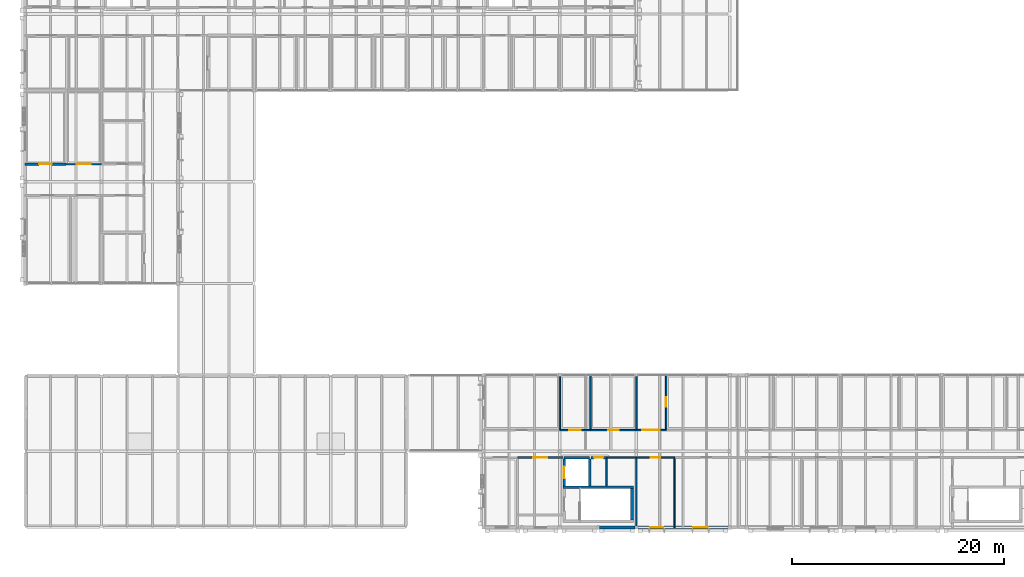
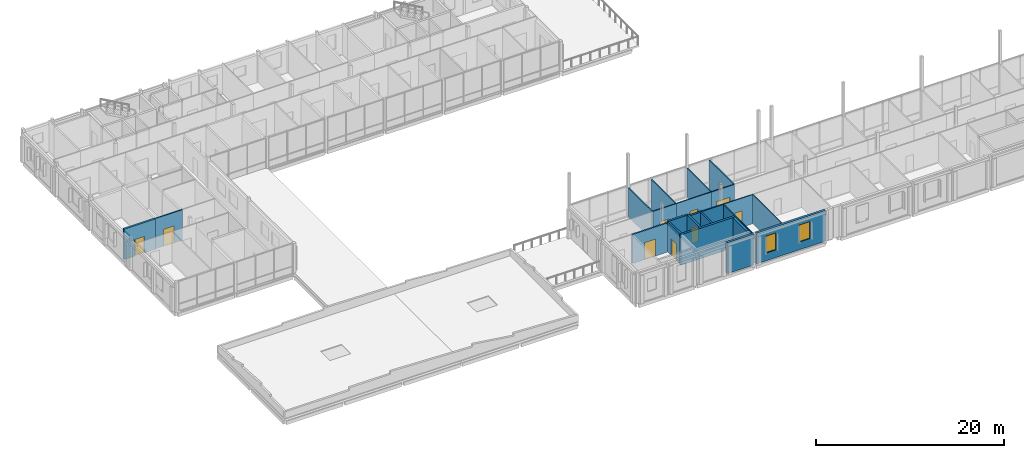
# One storey, part 37 of 57: 23 walls, 10 doors, 2 windows, 12 openings.
"""IFC4 building model written with IfcOpenShell, lengths in metres."""

import ifcopenshell
import ifcopenshell.guid

model = None  # the IFC model being written
_history = None  # IfcOwnerHistory: only IFC2X3 demands one
_inside = {}  # id of a spatial element -> (the spatial element, [elements in it])
_under = {}  # id of a project, library or spatial element -> (it, [spatial elements below it])
_declared = {}  # id of a project -> (the project, [libraries it declares])
_typed = {}  # id of a type object -> (the type object, [elements of that type])
_made_of = {}  # id of a material, layer set ... -> (it, [elements and type objects made of it])


def new_model(schema):
    """Start an empty IFC model of exactly this schema.

    Asked for "IFC4X3", IfcOpenShell would pick the latest addendum, in which some entities
    have other attributes; the version numbers below select the first issue.
    IFC2X3 requires an IfcOwnerHistory on every rooted entity: one is made here for all.
    """
    global model, _history
    if schema == "IFC4X3":
        model = ifcopenshell.file(schema_version=(4, 3, 0, 0))
    else:
        model = ifcopenshell.file(schema=schema)
    _inside.clear()
    _under.clear()
    _declared.clear()
    _typed.clear()
    _made_of.clear()
    _history = None
    if model.schema == "IFC2X3":
        org = make("IfcOrganization", Name="unknown")
        user = make(
            "IfcPersonAndOrganization",
            ThePerson=make("IfcPerson", FamilyName="unknown"),
            TheOrganization=org,
        )
        app = make(
            "IfcApplication",
            ApplicationDeveloper=org,
            Version="unknown",
            ApplicationFullName="unknown",
            ApplicationIdentifier="unknown",
        )
        _history = make(
            "IfcOwnerHistory",
            OwningUser=user,
            OwningApplication=app,
            ChangeAction="ADDED",
            CreationDate=0,
        )
    return model


def make(cls, **values):
    """One entity of the class cls with the attributes given. An attribute that is None is left unset."""
    return model.create_entity(
        cls, **{name: value for name, value in values.items() if value is not None}
    )


def rooted(cls, **values):
    """An entity with a GlobalId (a new one), such as an element, a storey or a relation."""
    return make(cls, GlobalId=ifcopenshell.guid.new(), OwnerHistory=_history, **values)


def si_unit(unit_type, name, prefix=None):
    """IfcSIUnit, for example si_unit("LENGTHUNIT", "METRE", prefix="MILLI")."""
    return make("IfcSIUnit", UnitType=unit_type, Prefix=prefix, Name=name)


def assignment(units):
    """IfcUnitAssignment: the units of a project."""
    return None if units is None else make("IfcUnitAssignment", Units=units)


def point(xyz):
    """IfcCartesianPoint."""
    return None if xyz is None else make("IfcCartesianPoint", Coordinates=xyz)


def direction(xyz):
    """IfcDirection."""
    return None if xyz is None else make("IfcDirection", DirectionRatios=xyz)


def frame(location, z_axis=None, x_axis=None):
    """IfcAxis2Placement3D, a coordinate frame: its origin and axes. An axis left out is left unset."""
    return make(
        "IfcAxis2Placement3D",
        Location=point(location),
        Axis=direction(z_axis),
        RefDirection=direction(x_axis),
    )


def frame_2d(location, x_axis=None):
    """IfcAxis2Placement2D, a coordinate frame in the plane: its origin and x axis."""
    return make(
        "IfcAxis2Placement2D", Location=point(location), RefDirection=direction(x_axis)
    )


def origin():
    """The frame at (0, 0, 0) with its axes left unset."""
    return frame((0.0, 0.0, 0.0))


def place(relative_to, where):
    """IfcLocalPlacement: puts the frame where relative to a parent placement (None: the world)."""
    return make(
        "IfcLocalPlacement", PlacementRelTo=relative_to, RelativePlacement=where
    )


def context(
    kind, dimensions, precision=None, world=None, true_north=None, identifier=None
):
    """IfcGeometricRepresentationContext, for example the 3D "Model" context."""
    return make(
        "IfcGeometricRepresentationContext",
        ContextIdentifier=identifier,
        ContextType=kind,
        CoordinateSpaceDimension=dimensions,
        Precision=precision,
        WorldCoordinateSystem=world,
        TrueNorth=true_north,
    )


def subcontext(parent, identifier, kind, view, scale=None):
    """IfcGeometricRepresentationSubContext, for example "Body" below "Model"."""
    return make(
        "IfcGeometricRepresentationSubContext",
        ContextIdentifier=identifier,
        ContextType=kind,
        ParentContext=parent,
        TargetScale=scale,
        TargetView=view,
    )


def project(units=None, contexts=None):
    """IfcProject with its units and contexts."""
    return rooted(
        "IfcProject",
        Name="project",
        RepresentationContexts=contexts,
        UnitsInContext=assignment(units),
    )


def spatial(cls, under=None, at=None, **own):
    """A site, building, storey or space (cls), placed at a placement, below another one or the project."""
    s = rooted(cls, ObjectPlacement=at, **own)
    if under is not None:
        _under.setdefault(under.id(), (under, []))[1].append(s)
    return s


def profile(cls, at=None, kind="AREA", **sizes):
    """A parametric profile (cls). Its sizes go by their IFC names, for example OverallWidth=200.0."""
    return make(cls, ProfileType=kind, Position=at, **sizes)


def rectangle(**sizes):
    """IfcRectangleProfileDef."""
    return profile("IfcRectangleProfileDef", **sizes)


def extrude(swept, where, along, depth):
    """IfcExtrudedAreaSolid: the profile swept, set in the frame where, extruded along a direction by depth."""
    return make(
        "IfcExtrudedAreaSolid",
        SweptArea=swept,
        Position=where,
        ExtrudedDirection=direction(along),
        Depth=depth,
    )


def shape(context_of_items, identifier, shape_type, items):
    """IfcShapeRepresentation: the items that make up one representation, for example the "Body"."""
    return make(
        "IfcShapeRepresentation",
        ContextOfItems=context_of_items,
        RepresentationIdentifier=identifier,
        RepresentationType=shape_type,
        Items=items,
    )


def material(Name=None, Category=None):
    """IfcMaterial."""
    return make("IfcMaterial", Name=Name, Category=Category)


def layer(
    of_material, thickness, ventilated=None, Name=None, Category=None, Priority=None
):
    """IfcMaterialLayer: one layer of a wall or slab, of a material (None: an air gap)."""
    return make(
        "IfcMaterialLayer",
        Material=of_material,
        LayerThickness=thickness,
        IsVentilated=ventilated,
        Name=Name,
        Category=Category,
        Priority=Priority,
    )


def layer_set(layers, Name=None):
    """IfcMaterialLayerSet."""
    return make("IfcMaterialLayerSet", MaterialLayers=layers, LayerSetName=Name)


def made_of(thing, what):
    """Note that an element or type object is made of a material, layer set ...; save() writes the relation."""
    if what is not None:
        _made_of.setdefault(what.id(), (what, []))[1].append(thing)
    return thing


def type_object(cls, material=None, **own):
    """A type object (cls), such as IfcWallType, which elements share."""
    return made_of(rooted(cls, **own), material)


def element(
    cls,
    number,
    at=None,
    inside=None,
    cuts=None,
    type_object=None,
    material=None,
    context=None,
    identifier="Body",
    shape_type=None,
    held_by="IfcProductDefinitionShape",
    body=None,
    shapes=None,
    **own,
):
    """One element of the class cls, such as IfcWall. Its Tag is "e" and its number.

    at: its placement. inside: the storey or other place that contains it. cuts: it is an
    opening in that element (IfcRelVoidsElement). A single representation is given by context,
    identifier, shape_type and body (its items); several are given by shapes. held_by: the class
    of the entity that holds the representations. save() writes the other relations.
    """
    e = rooted(cls, Tag="e%d" % number, ObjectPlacement=at, **own)
    if body is not None:
        shapes = [shape(context, identifier, shape_type, body)]
    if shapes is not None:
        e.Representation = make(held_by, Representations=shapes)
    if inside is not None:
        _inside.setdefault(inside.id(), (inside, []))[1].append(e)
    if cuts is not None:
        rooted(
            "IfcRelVoidsElement", RelatingBuildingElement=cuts, RelatedOpeningElement=e
        )
    if type_object is not None:
        _typed.setdefault(type_object.id(), (type_object, []))[1].append(e)
    return made_of(e, material)


def fill(opening, filler):
    """IfcRelFillsElement: the door or window that sits in an opening."""
    return rooted(
        "IfcRelFillsElement",
        RelatingOpeningElement=opening,
        RelatedBuildingElement=filler,
    )


def aggregate(whole, parts):
    """IfcRelAggregates: a whole, such as a stair, and the parts it consists of."""
    return rooted("IfcRelAggregates", RelatingObject=whole, RelatedObjects=parts)


def save(model, path):
    """Write the relations noted so far, then the file.

    IfcRelAggregates (storeys below a building ...), IfcRelContainedInSpatialStructure (elements
    in a storey), IfcRelDefinesByType, IfcRelAssociatesMaterial and IfcRelDeclares: one each for
    every whole, place, type object, material and project.
    """
    for whole, parts in _under.values():
        aggregate(whole, parts)
    for where, things in _inside.values():
        rooted(
            "IfcRelContainedInSpatialStructure",
            RelatedElements=things,
            RelatingStructure=where,
        )
    for kind, things in _typed.values():
        rooted("IfcRelDefinesByType", RelatedObjects=things, RelatingType=kind)
    for what, things in _made_of.values():
        rooted("IfcRelAssociatesMaterial", RelatedObjects=things, RelatingMaterial=what)
    for by, libraries in _declared.values():
        rooted("IfcRelDeclares", RelatingContext=by, RelatedDefinitions=libraries)
    model.write(path)


model = new_model("IFC4")

# Units and contexts
model_context = context("Model", 3, precision=1e-05, world=origin(), true_north=direction((0.0, 1.0)))
body_context = subcontext(model_context, "Body", "Model", "MODEL_VIEW")
ifc_project = project(units=[si_unit("LENGTHUNIT", "METRE"), si_unit("AREAUNIT", "SQUARE_METRE"), si_unit("VOLUMEUNIT", "CUBIC_METRE"), si_unit("PLANEANGLEUNIT", "RADIAN"), si_unit("MASSUNIT", "GRAM", prefix="KILO")], contexts=[model_context])

# Site, building, storey
site_placement = place(None, origin())
site = spatial("IfcSite", under=ifc_project, at=site_placement, CompositionType="ELEMENT")
building_placement = place(site_placement, origin())
building = spatial("IfcBuilding", under=site, at=building_placement, Name="Hawrajan Terrace Health Centre", CompositionType="ELEMENT")
storey_placement = place(building_placement, frame((0.0, 0.0, 13.199951171875)))
storey = spatial("IfcBuildingStorey", under=building, at=storey_placement, Name="L03", CompositionType="ELEMENT", Elevation=13.199951171875)

# Wall, opening, door
ifc_material_1 = material(Name="Gypsum board on acoustic stud framing")
ifc_layer_1 = layer(ifc_material_1, 0.139892578125)
ifc_layer_set_1 = layer_set([ifc_layer_1], Name="Gypsum board on acoustic stud framing")
wall_type_1 = type_object("IfcWallType", Name="ClinicalAcousticWall_140", PredefinedType="PARTITIONING", material=ifc_layer_set_1)
wall_1_placement = place(storey_placement, frame((8.445068359375, 38.449951171875, 0.0), z_axis=(0.0, 0.0, 1.0), x_axis=(1.0, 0.0, 0.0)))
wall_1 = element("IfcWall", 1, at=wall_1_placement, inside=storey, type_object=wall_type_1, Name="Interior wall IW-L03-1280", PredefinedType="PARTITIONING", context=body_context, shape_type="SweptSolid", body=[
    extrude(rectangle(XDim=3.35498046875, YDim=0.139892578125, at=frame_2d((1.677490234375, 0.0))), origin(), (0.0, 0.0, 1.0), 3.929931640625),
])
opening_1_placement = place(wall_1_placement, frame((1.03759765625, 0.0, 0.0)))
opening_1 = element("IfcOpeningElement", 2, at=opening_1_placement, cuts=wall_1, Name="Opening D-L03-590", PredefinedType="OPENING", context=body_context, shape_type="SweptSolid", body=[
    extrude(rectangle(XDim=1.280029296875, YDim=2.199951171875, at=frame_2d((0.64013671875, 1.10009765625))), frame((0.0, 0.079833984375, 0.0), z_axis=(0.0, -1.0, 0.0), x_axis=(1.0, 0.0, 0.0)), (0.0, 0.0, 1.0), 0.159912109375),
])
ifc_material_2 = material(Name="Hardwood acoustic clinical door leaf and frame", Category="wood")
door_type_1 = type_object("IfcDoorType", Name="ExamSuiteDoor_1280x2200", OperationType="NOTDEFINED", PredefinedType="DOOR", material=ifc_material_2)
door_1_placement = place(opening_1_placement, origin())
door_1 = element("IfcDoor", 3, at=door_1_placement, inside=storey, type_object=door_type_1, Name="Interior door D-L03-590", OperationType="SINGLE_SWING_RIGHT", OverallHeight=2.199951171875, OverallWidth=1.280029296875, PredefinedType="DOOR", context=body_context, shape_type="SweptSolid", body=[
    extrude(rectangle(XDim=1.280029296875, YDim=2.199951171875, at=frame_2d((0.64013671875, 1.10009765625))), frame((0.0, 0.02490234375, 0.0), z_axis=(0.0, -1.0, 0.0), x_axis=(1.0, 0.0, 0.0)), (0.0, 0.0, 1.0), 0.050048828125),
])
fill(opening_1, door_1)

# Wall
wall_2_placement = place(storey_placement, frame((55.0, 13.469970703125, 0.0), z_axis=(0.0, 0.0, 1.0), x_axis=(0.0, 1.0, 0.0)))
element("IfcWall", 4, at=wall_2_placement, inside=storey, type_object=wall_type_1, Name="Interior wall IW-L03-1344", PredefinedType="PARTITIONING", context=body_context, shape_type="SweptSolid", body=[
    extrude(rectangle(XDim=4.969970703125, YDim=0.139892578125, at=frame_2d((2.48486328125, 0.0))), origin(), (0.0, 0.0, 1.0), 3.75),
])

# Wall, opening, door
wall_3_placement = place(storey_placement, frame((55.0, 13.39990234375, 0.0), z_axis=(0.0, 0.0, 1.0), x_axis=(1.0, 0.0, 0.0)))
wall_3 = element("IfcWall", 5, at=wall_3_placement, inside=storey, type_object=wall_type_1, Name="Interior wall IW-L03-1345", PredefinedType="PARTITIONING", context=body_context, shape_type="SweptSolid", body=[
    extrude(rectangle(XDim=2.865966796875, YDim=0.139892578125, at=frame_2d((1.43310546875, 0.0))), origin(), (0.0, 0.0, 1.0), 3.75),
])
opening_2_placement = place(wall_3_placement, frame((0.883056640625, 0.0, 0.0)))
opening_2 = element("IfcOpeningElement", 6, at=opening_2_placement, cuts=wall_3, Name="Opening D-L03-617", PredefinedType="OPENING", context=body_context, shape_type="SweptSolid", body=[
    extrude(rectangle(XDim=1.10009765625, YDim=2.10009765625, at=frame_2d((0.550048828125, 1.050048828125))), frame((0.0, 0.079833984375, 0.0), z_axis=(0.0, -1.0, 0.0), x_axis=(1.0, 0.0, 0.0)), (0.0, 0.0, 1.0), 0.159912109375),
])
door_type_2 = type_object("IfcDoorType", Name="ConsultDoor_1100x2100", OperationType="NOTDEFINED", PredefinedType="DOOR", material=ifc_material_2)
door_2_placement = place(opening_2_placement, origin())
door_2 = element("IfcDoor", 7, at=door_2_placement, inside=storey, type_object=door_type_2, Name="Interior door D-L03-617", OperationType="SINGLE_SWING_LEFT", OverallHeight=2.10009765625, OverallWidth=1.10009765625, PredefinedType="DOOR", context=body_context, shape_type="SweptSolid", body=[
    extrude(rectangle(XDim=1.10009765625, YDim=2.10009765625, at=frame_2d((0.550048828125, 1.050048828125))), frame((0.0, 0.02490234375, 0.0), z_axis=(0.0, -1.0, 0.0), x_axis=(1.0, 0.0, 0.0)), (0.0, 0.0, 1.0), 0.050048828125),
])
fill(opening_2, door_2)

# Wall
wall_4_placement = place(storey_placement, frame((57.865966796875, 13.469970703125, 0.0), z_axis=(0.0, 0.0, 1.0), x_axis=(0.0, 1.0, 0.0)))
element("IfcWall", 8, at=wall_4_placement, inside=storey, type_object=wall_type_1, Name="Interior wall IW-L03-1350", PredefinedType="PARTITIONING", context=body_context, shape_type="SweptSolid", body=[
    extrude(rectangle(XDim=5.130126953125, YDim=0.139892578125, at=frame_2d((2.56494140625, 0.0))), origin(), (0.0, 0.0, 1.0), 3.75),
])

# Wall, opening, door
wall_5_placement = place(storey_placement, frame((57.865966796875, 13.39990234375, 0.0), z_axis=(0.0, 0.0, 1.0), x_axis=(1.0, 0.0, 0.0)))
wall_5 = element("IfcWall", 9, at=wall_5_placement, inside=storey, type_object=wall_type_1, Name="Interior wall IW-L03-1351", PredefinedType="PARTITIONING", context=body_context, shape_type="SweptSolid", body=[
    extrude(rectangle(XDim=4.333984375, YDim=0.139892578125, at=frame_2d((2.1669921875, 0.0))), origin(), (0.0, 0.0, 1.0), 3.75),
])
opening_3_placement = place(wall_5_placement, frame((1.677001953125, 0.0, 0.0)))
opening_3 = element("IfcOpeningElement", 10, at=opening_3_placement, cuts=wall_5, Name="Opening D-L03-618", PredefinedType="OPENING", context=body_context, shape_type="SweptSolid", body=[
    extrude(rectangle(XDim=0.97998046875, YDim=2.14990234375, at=frame_2d((0.489990234375, 1.074951171875))), frame((0.0, 0.079833984375, 0.0), z_axis=(0.0, -1.0, 0.0), x_axis=(1.0, 0.0, 0.0)), (0.0, 0.0, 1.0), 0.159912109375),
])
door_type_3 = type_object("IfcDoorType", Name="ConsultDoor_980x2150", OperationType="NOTDEFINED", PredefinedType="DOOR", material=ifc_material_2)
door_3_placement = place(opening_3_placement, origin())
door_3 = element("IfcDoor", 11, at=door_3_placement, inside=storey, type_object=door_type_3, Name="Interior door D-L03-618", OperationType="SINGLE_SWING_RIGHT", OverallHeight=2.14990234375, OverallWidth=0.97998046875, PredefinedType="DOOR", context=body_context, shape_type="SweptSolid", body=[
    extrude(rectangle(XDim=0.97998046875, YDim=2.14990234375, at=frame_2d((0.489990234375, 1.074951171875))), frame((0.0, 0.02490234375, 0.0), z_axis=(0.0, -1.0, 0.0), x_axis=(1.0, 0.0, 0.0)), (0.0, 0.0, 1.0), 0.050048828125),
])
fill(opening_3, door_3)

# Wall
wall_6_placement = place(storey_placement, frame((62.199951171875, 13.469970703125, 0.0), z_axis=(0.0, 0.0, 1.0), x_axis=(0.0, 1.0, 0.0)))
element("IfcWall", 12, at=wall_6_placement, inside=storey, type_object=wall_type_1, Name="Interior wall IW-L03-1355", PredefinedType="PARTITIONING", context=body_context, shape_type="SweptSolid", body=[
    extrude(rectangle(XDim=4.989990234375, YDim=0.139892578125, at=frame_2d((2.4951171875, 0.0))), origin(), (0.0, 0.0, 1.0), 3.75),
])

# Wall, opening, door
wall_7_placement = place(storey_placement, frame((62.199951171875, 13.39990234375, 0.0), z_axis=(0.0, 0.0, 1.0), x_axis=(1.0, 0.0, 0.0)))
wall_7 = element("IfcWall", 13, at=wall_7_placement, inside=storey, type_object=wall_type_1, Name="Interior wall IW-L03-1356", PredefinedType="PARTITIONING", context=body_context, shape_type="SweptSolid", body=[
    extrude(rectangle(XDim=2.800048828125, YDim=0.139892578125, at=frame_2d((1.39990234375, 0.0))), origin(), (0.0, 0.0, 1.0), 3.75),
])
opening_4_placement = place(wall_7_placement, frame((0.570068359375, 0.0, 0.0)))
opening_4 = element("IfcOpeningElement", 14, at=opening_4_placement, cuts=wall_7, Name="Opening D-L03-578", PredefinedType="OPENING", context=body_context, shape_type="SweptSolid", body=[
    extrude(rectangle(XDim=1.659912109375, YDim=2.300048828125, at=frame_2d((0.830078125, 1.14990234375))), frame((0.0, 0.079833984375, 0.0), z_axis=(0.0, -1.0, 0.0), x_axis=(1.0, 0.0, 0.0)), (0.0, 0.0, 1.0), 0.159912109375),
])
door_type_4 = type_object("IfcDoorType", Name="RehabGymDoor_1660x2300", OperationType="DOUBLE_DOOR_SINGLE_SWING", PredefinedType="DOOR", material=ifc_material_2)
door_4_placement = place(opening_4_placement, origin())
door_4 = element("IfcDoor", 15, at=door_4_placement, inside=storey, type_object=door_type_4, Name="Interior door D-L03-578", OperationType="DOUBLE_DOOR_SINGLE_SWING", OverallHeight=2.300048828125, OverallWidth=1.659912109375, PredefinedType="DOOR", context=body_context, shape_type="SweptSolid", body=[
    extrude(rectangle(XDim=1.659912109375, YDim=2.300048828125, at=frame_2d((0.830078125, 1.14990234375))), frame((0.0, 0.02490234375, 0.0), z_axis=(0.0, -1.0, 0.0), x_axis=(1.0, 0.0, 0.0)), (0.0, 0.0, 1.0), 0.050048828125),
])
fill(opening_4, door_4)

wall_8_placement = place(storey_placement, frame((65.0, 13.469970703125, 0.0), z_axis=(0.0, 0.0, 1.0), x_axis=(0.0, 1.0, 0.0)))
wall_8 = element("IfcWall", 16, at=wall_8_placement, inside=storey, type_object=wall_type_1, Name="Interior wall IW-L03-1357", PredefinedType="PARTITIONING", context=body_context, shape_type="SweptSolid", body=[
    extrude(rectangle(XDim=5.130126953125, YDim=0.139892578125, at=frame_2d((2.56494140625, 0.0))), origin(), (0.0, 0.0, 1.0), 3.75),
])
opening_5_placement = place(wall_8_placement, frame((2.114990234375, 0.0, 0.0)))
opening_5 = element("IfcOpeningElement", 17, at=opening_5_placement, cuts=wall_8, Name="Opening D-L03-619", PredefinedType="OPENING", context=body_context, shape_type="SweptSolid", body=[
    extrude(rectangle(XDim=0.89990234375, YDim=2.10009765625, at=frame_2d((0.449951171875, 1.050048828125))), frame((0.0, 0.079833984375, 0.0), z_axis=(0.0, -1.0, 0.0), x_axis=(1.0, 0.0, 0.0)), (0.0, 0.0, 1.0), 0.159912109375),
])
door_type_5 = type_object("IfcDoorType", Name="PatientWCDoor_900x2100", OperationType="NOTDEFINED", PredefinedType="DOOR", material=ifc_material_2)
door_5_placement = place(opening_5_placement, origin())
door_5 = element("IfcDoor", 18, at=door_5_placement, inside=storey, type_object=door_type_5, Name="Interior door D-L03-619", OperationType="SINGLE_SWING_LEFT", OverallHeight=2.10009765625, OverallWidth=0.89990234375, PredefinedType="DOOR", context=body_context, shape_type="SweptSolid", body=[
    extrude(rectangle(XDim=0.89990234375, YDim=2.10009765625, at=frame_2d((0.449951171875, 1.050048828125))), frame((0.0, 0.02490234375, 0.0), z_axis=(0.0, -1.0, 0.0), x_axis=(1.0, 0.0, 0.0)), (0.0, 0.0, 1.0), 0.050048828125),
])
fill(opening_5, door_5)

# Walls
ifc_material_3 = material(Name="Concrete C40/50", Category="concrete")
ifc_layer_2 = layer(ifc_material_3, 0.260009765625)
ifc_layer_set_2 = layer_set([ifc_layer_2], Name="Concrete C40/50")
wall_type_2 = type_object("IfcWallType", Name="CoreShearWall_RC260", PredefinedType="SHEAR", material=ifc_layer_set_2)
wall_9_placement = place(storey_placement, frame((55.27001953125, 8.0, 0.0), z_axis=(0.0, 0.0, 1.0), x_axis=(1.0, 0.0, 0.0)))
element("IfcWall", 19, at=wall_9_placement, inside=storey, type_object=wall_type_2, Name="Core shear wall SW-C4-L03-N", PredefinedType="SHEAR", context=body_context, shape_type="SweptSolid", body=[
    extrude(rectangle(XDim=6.659912109375, YDim=0.260009765625, at=frame_2d((3.330078125, 0.0))), origin(), (0.0, 0.0, 1.0), 3.949951171875),
])
wall_10_placement = place(storey_placement, frame((61.800048828125, 4.929931640625, 0.0), z_axis=(0.0, 0.0, 1.0), x_axis=(0.0, 1.0, 0.0)))
element("IfcWall", 20, at=wall_10_placement, inside=storey, type_object=wall_type_2, Name="Core shear wall SW-C4-L03-E", PredefinedType="SHEAR", context=body_context, shape_type="SweptSolid", body=[
    extrude(rectangle(XDim=2.940185546875, YDim=0.260009765625, at=frame_2d((1.47021484375, 0.0))), origin(), (0.0, 0.0, 1.0), 3.949951171875),
])
ifc_layer_3 = layer(ifc_material_1, 0.159912109375)
ifc_layer_set_3 = layer_set([ifc_layer_3], Name="Gypsum board on acoustic stud framing")
wall_type_3 = type_object("IfcWallType", Name="CorridorFireWall_160", PredefinedType="PARTITIONING", material=ifc_layer_set_3)
wall_11_placement = place(storey_placement, frame((59.39990234375, 8.139892578125, 0.0), z_axis=(0.0, 0.0, 1.0), x_axis=(0.0, 1.0, 0.0)))
element("IfcWall", 21, at=wall_11_placement, inside=storey, type_object=wall_type_3, Name="Interior wall IW-L03-1393", PredefinedType="PARTITIONING", context=body_context, shape_type="SweptSolid", body=[
    extrude(rectangle(XDim=2.590087890625, YDim=0.159912109375, at=frame_2d((1.294921875, 0.0))), origin(), (0.0, 0.0, 1.0), 3.75),
])
wall_12_placement = place(storey_placement, frame((59.39990234375, 10.800048828125, 0.0), z_axis=(0.0, 0.0, 1.0), x_axis=(1.0, 0.0, 0.0)))
element("IfcWall", 22, at=wall_12_placement, inside=storey, type_object=wall_type_3, Name="Interior wall IW-L03-1403", PredefinedType="PARTITIONING", context=body_context, shape_type="SweptSolid", body=[
    extrude(rectangle(XDim=2.800048828125, YDim=0.159912109375, at=frame_2d((1.39990234375, 0.0))), origin(), (0.0, 0.0, 1.0), 3.75),
])

# Wall, opening, door
ifc_material_4 = material(Name="Cross-laminated timber CLT C24", Category="wood")
ifc_layer_4 = layer(ifc_material_4, 0.199951171875)
ifc_layer_set_4 = layer_set([ifc_layer_4], Name="Cross-laminated timber CLT C24")
wall_type_4 = type_object("IfcWallType", Name="FireCompartmentWall_200", PredefinedType="PARTITIONING", material=ifc_layer_set_4)
wall_13_placement = place(storey_placement, frame((51.0, 10.800048828125, 0.0), z_axis=(0.0, 0.0, 1.0), x_axis=(1.0, 0.0, 0.0)))
wall_13 = element("IfcWall", 23, at=wall_13_placement, inside=storey, type_object=wall_type_4, Name="Interior wall IW-L03-1343", PredefinedType="PARTITIONING", context=body_context, shape_type="SweptSolid", body=[
    extrude(rectangle(XDim=4.2900390625, YDim=0.199951171875, at=frame_2d((2.14501953125, 0.0))), origin(), (0.0, 0.0, 1.0), 3.75),
])
opening_6_placement = place(wall_13_placement, frame((1.465087890625, 0.0, 0.0)))
opening_6 = element("IfcOpeningElement", 24, at=opening_6_placement, cuts=wall_13, Name="Opening D-L03-571", PredefinedType="OPENING", context=body_context, shape_type="SweptSolid", body=[
    extrude(rectangle(XDim=1.360107421875, YDim=2.199951171875, at=frame_2d((0.68017578125, 1.10009765625))), frame((0.0, 0.10986328125, 0.0), z_axis=(0.0, -1.0, 0.0), x_axis=(1.0, 0.0, 0.0)), (0.0, 0.0, 1.0), 0.219970703125),
])
ifc_material_5 = material(Name="Timber-veneered acoustic fire-resisting door assembly", Category="wood")
door_type_6 = type_object("IfcDoorType", Name="FFLobbyDoor_1360x2200", OperationType="NOTDEFINED", PredefinedType="DOOR", material=ifc_material_5)
door_6_placement = place(opening_6_placement, origin())
door_6 = element("IfcDoor", 25, at=door_6_placement, inside=storey, type_object=door_type_6, Name="Interior door D-L03-571", OperationType="SINGLE_SWING_LEFT", OverallHeight=2.199951171875, OverallWidth=1.360107421875, PredefinedType="DOOR", context=body_context, shape_type="SweptSolid", body=[
    extrude(rectangle(XDim=1.360107421875, YDim=2.199951171875, at=frame_2d((0.68017578125, 1.10009765625))), frame((0.0, 0.02490234375, 0.0), z_axis=(0.0, -1.0, 0.0), x_axis=(1.0, 0.0, 0.0)), (0.0, 0.0, 1.0), 0.050048828125),
])
fill(opening_6, door_6)

# Wall
ifc_layer_5 = layer(ifc_material_4, 0.2900390625)
ifc_layer_set_5 = layer_set([ifc_layer_5], Name="Cross-laminated timber CLT C24")
wall_type_5 = type_object("IfcWallType", Name="InsulatedTimberFacade_290", PredefinedType="SOLIDWALL", material=ifc_layer_set_5)
wall_14_placement = place(storey_placement, frame((58.719970703125, 4.199951171875, 0.0), z_axis=(0.0, 0.0, 1.0), x_axis=(1.0, 0.0, 0.0)))
element("IfcWall", 26, at=wall_14_placement, inside=storey, type_object=wall_type_5, Name="Exterior wall EW-L03-H07-00-2", PredefinedType="SOLIDWALL", context=body_context, shape_type="SweptSolid", body=[
    extrude(rectangle(XDim=3.340087890625, YDim=0.2900390625, at=frame_2d((1.669921875, 0.0))), origin(), (0.0, 0.0, 1.0), 4.0),
])

# Wall, openings, windows
wall_15_placement = place(storey_placement, frame((62.340087890625, 4.199951171875, 0.0), z_axis=(0.0, 0.0, 1.0), x_axis=(1.0, 0.0, 0.0)))
wall_15 = element("IfcWall", 27, at=wall_15_placement, inside=storey, type_object=wall_type_5, Name="Exterior wall EW-L03-H08-00-1", PredefinedType="SOLIDWALL", context=body_context, shape_type="SweptSolid", body=[
    extrude(rectangle(XDim=8.5, YDim=0.2900390625, at=frame_2d((4.25, 0.0))), origin(), (0.0, 0.0, 1.0), 4.0),
])
opening_7_placement = place(wall_15_placement, frame((1.179931640625, 0.0, 1.0)))
opening_7 = element("IfcOpeningElement", 28, at=opening_7_placement, cuts=wall_15, Name="Opening W-L03-202", PredefinedType="OPENING", context=body_context, shape_type="SweptSolid", body=[
    extrude(rectangle(XDim=1.219970703125, YDim=2.199951171875, at=frame_2d((0.60986328125, 1.10009765625))), frame((0.0, 0.155029296875, 0.0), z_axis=(0.0, -1.0, 0.0), x_axis=(1.0, 0.0, 0.0)), (0.0, 0.0, 1.0), 0.31005859375),
])
opening_8_placement = place(wall_15_placement, frame((5.2451171875, 0.0, 1.0)))
opening_8 = element("IfcOpeningElement", 29, at=opening_8_placement, cuts=wall_15, Name="Opening W-L03-203", PredefinedType="OPENING", context=body_context, shape_type="SweptSolid", body=[
    extrude(rectangle(XDim=1.35009765625, YDim=2.199951171875, at=frame_2d((0.675048828125, 1.10009765625))), frame((0.0, 0.155029296875, 0.0), z_axis=(0.0, -1.0, 0.0), x_axis=(1.0, 0.0, 0.0)), (0.0, 0.0, 1.0), 0.31005859375),
])
ifc_material_6 = material(Name="Anodized bronze frame with double low-E glazing", Category="glass")
window_type_1 = type_object("IfcWindowType", Name="FacadeWindow_1220x2200", PartitioningType="SINGLE_PANEL", PredefinedType="WINDOW", material=ifc_material_6)
window_1_placement = place(opening_7_placement, origin())
window_1 = element("IfcWindow", 30, at=window_1_placement, inside=storey, type_object=window_type_1, Name="Window W-L03-202", OverallHeight=2.199951171875, OverallWidth=1.219970703125, PartitioningType="SINGLE_PANEL", PredefinedType="WINDOW", context=body_context, shape_type="SweptSolid", body=[
    extrude(rectangle(XDim=1.219970703125, YDim=2.199951171875, at=frame_2d((0.60986328125, 1.10009765625))), frame((0.0, 0.030029296875, 0.0), z_axis=(0.0, -1.0, 0.0), x_axis=(1.0, 0.0, 0.0)), (0.0, 0.0, 1.0), 0.06005859375),
])
fill(opening_7, window_1)
window_type_2 = type_object("IfcWindowType", Name="FacadeWindow_1350x2200", PartitioningType="SINGLE_PANEL", PredefinedType="WINDOW", material=ifc_material_6)
window_2_placement = place(opening_8_placement, origin())
window_2 = element("IfcWindow", 31, at=window_2_placement, inside=storey, type_object=window_type_2, Name="Window W-L03-203", OverallHeight=2.199951171875, OverallWidth=1.35009765625, PartitioningType="SINGLE_PANEL", PredefinedType="WINDOW", context=body_context, shape_type="SweptSolid", body=[
    extrude(rectangle(XDim=1.35009765625, YDim=2.199951171875, at=frame_2d((0.675048828125, 1.10009765625))), frame((0.0, 0.030029296875, 0.0), z_axis=(0.0, -1.0, 0.0), x_axis=(1.0, 0.0, 0.0)), (0.0, 0.0, 1.0), 0.06005859375),
])
fill(opening_8, window_2)

# Wall, opening, door
ifc_layer_6 = layer(ifc_material_3, 0.25)
ifc_layer_set_6 = layer_set([ifc_layer_6], Name="Concrete C40/50")
wall_type_6 = type_object("IfcWallType", Name="RadiationShieldWall_RC250", PredefinedType="SOLIDWALL", material=ifc_layer_set_6)
wall_16_placement = place(storey_placement, frame((4.60009765625, 38.449951171875, 0.0), z_axis=(0.0, 0.0, 1.0), x_axis=(1.0, 0.0, 0.0)))
wall_16 = element("IfcWall", 32, at=wall_16_placement, inside=storey, type_object=wall_type_6, Name="Interior wall IW-L03-1273", PredefinedType="SOLIDWALL", context=body_context, shape_type="SweptSolid", body=[
    extrude(rectangle(XDim=3.844970703125, YDim=0.25, at=frame_2d((1.92236328125, 0.0))), origin(), (0.0, 0.0, 1.0), 3.929931640625),
])
opening_9_placement = place(wall_16_placement, frame((1.322509765625, 0.0, 0.0)))
opening_9 = element("IfcOpeningElement", 33, at=opening_9_placement, cuts=wall_16, Name="Opening D-L03-589", PredefinedType="OPENING", context=body_context, shape_type="SweptSolid", body=[
    extrude(rectangle(XDim=1.199951171875, YDim=2.14990234375, at=frame_2d((0.60009765625, 1.074951171875))), frame((0.0, 0.135009765625, 0.0), z_axis=(0.0, -1.0, 0.0), x_axis=(1.0, 0.0, 0.0)), (0.0, 0.0, 1.0), 0.27001953125),
])
door_type_7 = type_object("IfcDoorType", Name="PharmacyFireDoor_1200x2150", OperationType="NOTDEFINED", PredefinedType="DOOR", material=ifc_material_5)
door_7_placement = place(opening_9_placement, origin())
door_7 = element("IfcDoor", 34, at=door_7_placement, inside=storey, type_object=door_type_7, Name="Interior door D-L03-589", OperationType="SINGLE_SWING_LEFT", OverallHeight=2.14990234375, OverallWidth=1.199951171875, PredefinedType="DOOR", context=body_context, shape_type="SweptSolid", body=[
    extrude(rectangle(XDim=1.199951171875, YDim=2.14990234375, at=frame_2d((0.60009765625, 1.074951171875))), frame((0.0, 0.02490234375, 0.0), z_axis=(0.0, -1.0, 0.0), x_axis=(1.0, 0.0, 0.0)), (0.0, 0.0, 1.0), 0.050048828125),
])
fill(opening_9, door_7)

# Wall
ifc_layer_7 = layer(ifc_material_3, 0.219970703125)
ifc_layer_set_7 = layer_set([ifc_layer_7], Name="Concrete C40/50")
wall_type_7 = type_object("IfcWallType", Name="ShaftWall_RC220", PredefinedType="SOLIDWALL", material=ifc_layer_set_7)
wall_17_placement = place(storey_placement, frame((55.39990234375, 10.800048828125, 0.0), z_axis=(0.0, 0.0, 1.0), x_axis=(1.0, 0.0, 0.0)))
element("IfcWall", 35, at=wall_17_placement, inside=storey, type_object=wall_type_7, Name="Lift shaft wall LW-LC-05-L03-N", PredefinedType="SOLIDWALL", context=body_context, shape_type="SweptSolid", body=[
    extrude(rectangle(XDim=2.400146484375, YDim=0.219970703125, at=frame_2d((1.2001953125, 0.0))), origin(), (0.0, 0.0, 1.0), 3.949951171875),
])

# Wall, opening, door
wall_18_placement = place(storey_placement, frame((55.39990234375, 8.110107421875, 0.0), z_axis=(0.0, 0.0, 1.0), x_axis=(0.0, 1.0, 0.0)))
wall_18 = element("IfcWall", 36, at=wall_18_placement, inside=storey, type_object=wall_type_7, Name="Lift shaft wall LW-LC-05-L03-W", PredefinedType="SOLIDWALL", context=body_context, shape_type="SweptSolid", body=[
    extrude(rectangle(XDim=2.579833984375, YDim=0.219970703125, at=frame_2d((1.2900390625, 0.0))), origin(), (0.0, 0.0, 1.0), 3.949951171875),
])
opening_10_placement = place(wall_18_placement, frame((0.739990234375, 0.0, 0.0)))
opening_10 = element("IfcOpeningElement", 37, at=opening_10_placement, cuts=wall_18, Name="Opening LD-L03-LC-05", PredefinedType="OPENING", context=body_context, shape_type="SweptSolid", body=[
    extrude(rectangle(XDim=1.10009765625, YDim=2.14990234375, at=frame_2d((0.550048828125, 1.074951171875))), frame((0.0, 0.119873046875, 0.0), z_axis=(0.0, -1.0, 0.0), x_axis=(1.0, 0.0, 0.0)), (0.0, 0.0, 1.0), 0.239990234375),
])
ifc_material_7 = material(Name="Brushed bronze stainless-steel sliding lift landing door", Category="steel")
door_type_8 = type_object("IfcDoorType", Name="LiftLandingDoor_1100x2150", OperationType="SLIDING_TO_LEFT", PredefinedType="DOOR", material=ifc_material_7)
door_8_placement = place(opening_10_placement, origin())
door_8 = element("IfcDoor", 38, at=door_8_placement, inside=storey, type_object=door_type_8, Name="Lift landing door LD-L03-LC-05", OperationType="SLIDING_TO_LEFT", OverallHeight=2.14990234375, OverallWidth=1.10009765625, PredefinedType="DOOR", context=body_context, shape_type="SweptSolid", body=[
    extrude(rectangle(XDim=1.10009765625, YDim=2.14990234375, at=frame_2d((0.550048828125, 1.074951171875))), frame((0.0, 0.02490234375, 0.0), z_axis=(0.0, -1.0, 0.0), x_axis=(1.0, 0.0, 0.0)), (0.0, 0.0, 1.0), 0.050048828125),
])
fill(opening_10, door_8)

# Wall
wall_19_placement = place(storey_placement, frame((57.800048828125, 8.110107421875, 0.0), z_axis=(0.0, 0.0, 1.0), x_axis=(0.0, 1.0, 0.0)))
element("IfcWall", 39, at=wall_19_placement, inside=storey, type_object=wall_type_7, Name="Lift shaft wall LW-LC-05-L03-E", PredefinedType="SOLIDWALL", context=body_context, shape_type="SweptSolid", body=[
    extrude(rectangle(XDim=2.579833984375, YDim=0.219970703125, at=frame_2d((1.2900390625, 0.0))), origin(), (0.0, 0.0, 1.0), 3.949951171875),
])

# Wall, opening, door
wall_20_placement = place(storey_placement, frame((57.909912109375, 10.800048828125, 0.0), z_axis=(0.0, 0.0, 1.0), x_axis=(1.0, 0.0, 0.0)))
wall_20 = element("IfcWall", 40, at=wall_20_placement, inside=storey, type_object=wall_type_7, Name="Interior wall IW-L03-1349", PredefinedType="SOLIDWALL", context=body_context, shape_type="SweptSolid", body=[
    extrude(rectangle(XDim=1.489990234375, YDim=0.219970703125, at=frame_2d((0.7451171875, 0.0))), origin(), (0.0, 0.0, 1.0), 3.75),
])
opening_11_placement = place(wall_20_placement, frame((0.304931640625, 0.0, 0.0)))
opening_11 = element("IfcOpeningElement", 41, at=opening_11_placement, cuts=wall_20, Name="Opening D-L03-582", PredefinedType="OPENING", context=body_context, shape_type="SweptSolid", body=[
    extrude(rectangle(XDim=0.8798828125, YDim=2.050048828125, at=frame_2d((0.43994140625, 1.02490234375))), frame((0.0, 0.119873046875, 0.0), z_axis=(0.0, -1.0, 0.0), x_axis=(1.0, 0.0, 0.0)), (0.0, 0.0, 1.0), 0.239990234375),
])
door_type_9 = type_object("IfcDoorType", Name="RiserAccessDoor_880x2050", OperationType="NOTDEFINED", PredefinedType="DOOR", material=ifc_material_5)
door_9_placement = place(opening_11_placement, origin())
door_9 = element("IfcDoor", 42, at=door_9_placement, inside=storey, type_object=door_type_9, Name="Service riser access door D-L03-582", OperationType="SINGLE_SWING_RIGHT", OverallHeight=2.050048828125, OverallWidth=0.8798828125, PredefinedType="DOOR", context=body_context, shape_type="SweptSolid", body=[
    extrude(rectangle(XDim=0.8798828125, YDim=2.050048828125, at=frame_2d((0.43994140625, 1.02490234375))), frame((0.0, 0.02490234375, 0.0), z_axis=(0.0, -1.0, 0.0), x_axis=(1.0, 0.0, 0.0)), (0.0, 0.0, 1.0), 0.050048828125),
])
fill(opening_11, door_9)

ifc_material_8 = material(Name="Moisture-resistant board on stud framing")
ifc_layer_8 = layer(ifc_material_8, 0.1201171875)
ifc_layer_set_8 = layer_set([ifc_layer_8], Name="Moisture-resistant board on stud framing")
wall_type_8 = type_object("IfcWallType", Name="WetRoomPartition_120", PredefinedType="PLUMBINGWALL", material=ifc_layer_set_8)
wall_21_placement = place(storey_placement, frame((62.199951171875, 10.800048828125, 0.0), z_axis=(0.0, 0.0, 1.0), x_axis=(1.0, 0.0, 0.0)))
wall_21 = element("IfcWall", 43, at=wall_21_placement, inside=storey, type_object=wall_type_8, Name="Interior wall IW-L03-1354", PredefinedType="PLUMBINGWALL", context=body_context, shape_type="SweptSolid", body=[
    extrude(rectangle(XDim=3.60009765625, YDim=0.1201171875, at=frame_2d((1.800048828125, 0.0))), origin(), (0.0, 0.0, 1.0), 3.75),
])
opening_12_placement = place(wall_21_placement, frame((1.35009765625, 0.0, 0.0)))
opening_12 = element("IfcOpeningElement", 44, at=opening_12_placement, cuts=wall_21, Name="Opening D-L03-585", PredefinedType="OPENING", context=body_context, shape_type="SweptSolid", body=[
    extrude(rectangle(XDim=0.89990234375, YDim=2.10009765625, at=frame_2d((0.449951171875, 1.050048828125))), frame((0.0, 0.070068359375, 0.0), z_axis=(0.0, -1.0, 0.0), x_axis=(1.0, 0.0, 0.0)), (0.0, 0.0, 1.0), 0.14013671875),
])
door_10_placement = place(opening_12_placement, origin())
door_10 = element("IfcDoor", 45, at=door_10_placement, inside=storey, type_object=door_type_5, Name="Interior door D-L03-585", OperationType="SINGLE_SWING_LEFT", OverallHeight=2.10009765625, OverallWidth=0.89990234375, PredefinedType="DOOR", context=body_context, shape_type="SweptSolid", body=[
    extrude(rectangle(XDim=0.89990234375, YDim=2.10009765625, at=frame_2d((0.449951171875, 1.050048828125))), frame((0.0, 0.02490234375, 0.0), z_axis=(0.0, -1.0, 0.0), x_axis=(1.0, 0.0, 0.0)), (0.0, 0.0, 1.0), 0.050048828125),
])
fill(opening_12, door_10)

# Walls
wall_22_placement = place(storey_placement, frame((65.800048828125, 4.199951171875, 0.0), z_axis=(0.0, 0.0, 1.0), x_axis=(0.0, 1.0, 0.0)))
element("IfcWall", 46, at=wall_22_placement, inside=storey, type_object=wall_type_8, Name="Interior wall IW-L03-1359", PredefinedType="PLUMBINGWALL", context=body_context, shape_type="SweptSolid", body=[
    extrude(rectangle(XDim=6.530029296875, YDim=0.1201171875, at=frame_2d((3.26513671875, 0.0))), origin(), (0.0, 0.0, 1.0), 3.75),
])
wall_23_placement = place(storey_placement, frame((62.199951171875, 4.340087890625, 0.0), z_axis=(0.0, 0.0, 1.0), x_axis=(0.0, 1.0, 0.0)))
element("IfcWall", 47, at=wall_23_placement, inside=storey, type_object=wall_type_8, Name="Interior wall IW-L03-1407", PredefinedType="PLUMBINGWALL", context=body_context, shape_type="SweptSolid", body=[
    extrude(rectangle(XDim=6.389892578125, YDim=0.1201171875, at=frame_2d((3.19482421875, 0.0))), origin(), (0.0, 0.0, 1.0), 3.75),
])

save(model, "model.ifc")
